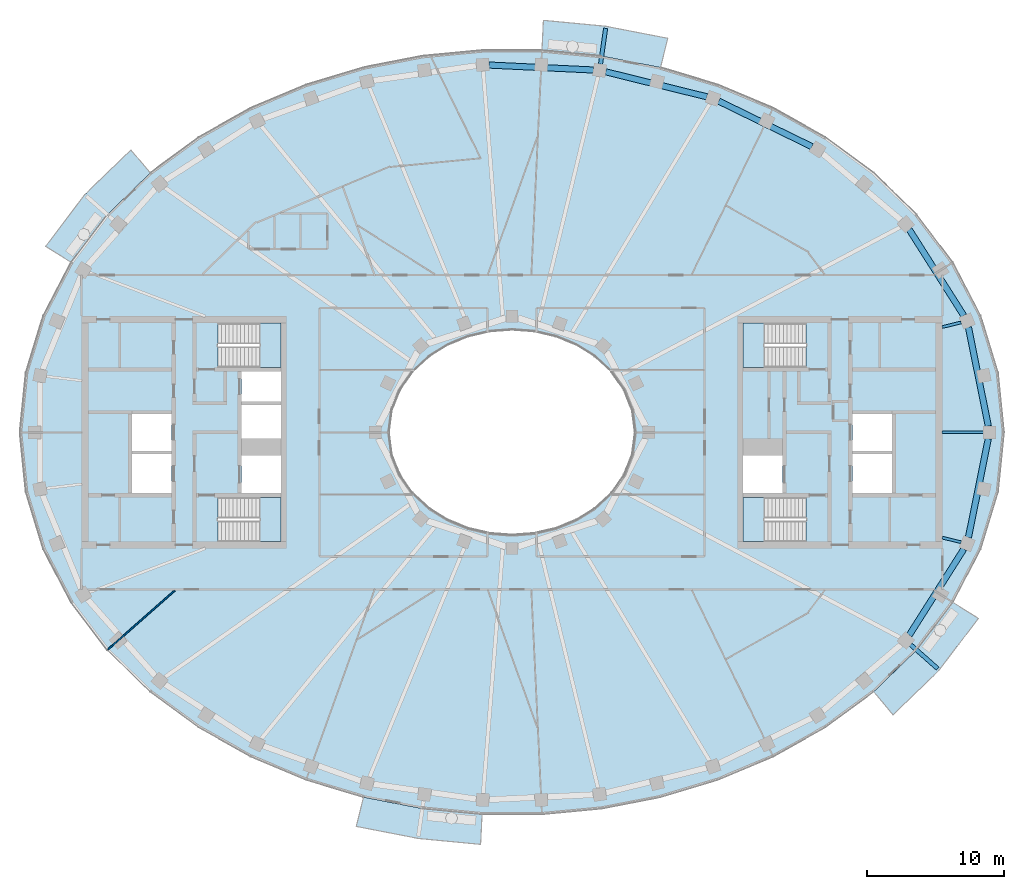
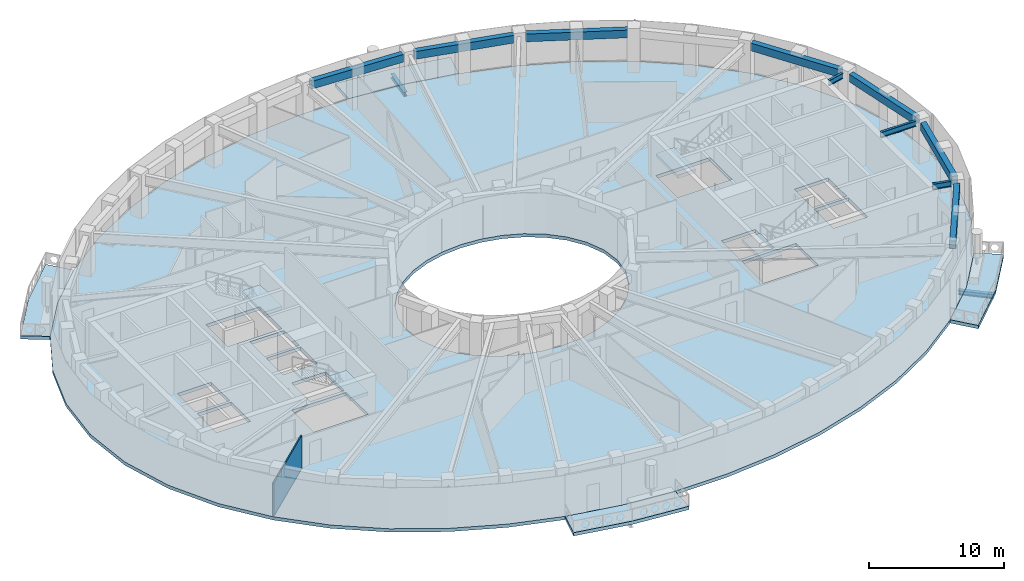
# One storey, part 2 of 16: 12 beams, 9 slabs, 1 wall, 4 elements without a shape of their own.
"""IFC4 building model written with IfcOpenShell, lengths in metres."""

from ifc_helpers import new_model, si_unit, direction, frame, frame_2d, origin, origin_2d, place, context, subcontext, project, spatial, polyline, rectangle, i_section, outline, extrude, material, layer, layer_set, material_profile, profile_set, type_object, element, aggregate, save


model = new_model("IFC4")

# Units and contexts
model_context = context("Model", 3, precision=1e-05, world=origin(), true_north=direction((0.0, 1.0)))
body_context = subcontext(model_context, "Body", "Model", "MODEL_VIEW")
ifc_project = project(units=[si_unit("LENGTHUNIT", "METRE"), si_unit("AREAUNIT", "SQUARE_METRE"), si_unit("VOLUMEUNIT", "CUBIC_METRE"), si_unit("PLANEANGLEUNIT", "RADIAN"), si_unit("MASSUNIT", "GRAM", prefix="KILO")], contexts=[model_context])

# Site, building, storey
site_placement = place(None, origin())
site = spatial("IfcSite", under=ifc_project, at=site_placement, CompositionType="ELEMENT")
building_placement = place(site_placement, origin())
building = spatial("IfcBuilding", under=site, at=building_placement, Name="Noorbagh Ring Tower", CompositionType="ELEMENT")
storey_placement = place(building_placement, frame((0.0, 0.0, 303.0)))
storey = spatial("IfcBuildingStorey", under=building, at=storey_placement, Name="L65", CompositionType="ELEMENT", Elevation=303.0)

# Beams
ifc_material_1 = material(Name="Steel S355", Category="steel")
ifc_material_profile_1 = material_profile(ifc_material_1, i_section(OverallWidth=0.300048828125, OverallDepth=0.39990234375, WebThickness=0.013427734375, FlangeThickness=0.02392578125, FilletRadius=0.027099609375, at=origin_2d()), Name="HEB400")
ifc_profile_set_1 = profile_set([ifc_material_profile_1], Name="Steel S355")
beam_type_1 = type_object("IfcBeamType", Name="STR-BALCONY-BRACKET-HEB400", PredefinedType="BEAM", material=ifc_profile_set_1)
beam_1_placement = place(storey_placement, frame((6.474365234375, 26.941162109375, -0.5), z_axis=(0.143047035154, 0.989715891422, 0.0), x_axis=(-0.989715891422, 0.143047035154, 0.0)))
element("IfcBeam", 1, at=beam_1_placement, inside=storey, type_object=beam_type_1, Name="Balcony bracket beam BN03", PredefinedType="BEAM", context=body_context, shape_type="SweptSolid", body=[
    extrude(i_section(OverallWidth=0.300048828125, OverallDepth=0.39990234375, WebThickness=0.013427734375, FlangeThickness=0.02392578125, FilletRadius=0.027099609375, at=origin_2d()), origin(), (0.0, 0.0, 1.0), 2.64892578125),
])
beam_2_placement = place(storey_placement, frame((29.15966796875, -15.531982421875, -0.5), z_axis=(0.749056248736, -0.662506404671, 0.0), x_axis=(0.662506404671, 0.749056248736, 0.0)))
element("IfcBeam", 2, at=beam_2_placement, inside=storey, type_object=beam_type_1, Name="Balcony bracket beam BS06", PredefinedType="BEAM", context=body_context, shape_type="SweptSolid", body=[
    extrude(i_section(OverallWidth=0.300048828125, OverallDepth=0.39990234375, WebThickness=0.013427734375, FlangeThickness=0.02392578125, FilletRadius=0.027099609375, at=origin_2d()), origin(), (0.0, 0.0, 1.0), 2.654296875),
])
ifc_material_2 = material(Name="Steel S355", Category="steel")
ifc_material_profile_2 = material_profile(ifc_material_2, i_section(OverallWidth=0.199951171875, OverallDepth=0.5, WebThickness=0.01025390625, FlangeThickness=0.01611328125, FilletRadius=0.02099609375, at=origin_2d()), Name="IPE500")
ifc_profile_set_2 = profile_set([ifc_material_profile_2], Name="Steel S355")
beam_type_2 = type_object("IfcBeamType", Name="STR-RAD-IPE500", PredefinedType="BEAM", material=ifc_profile_set_2)
beam_3_placement = place(storey_placement, frame((34.48974609375, 0.0, 3.449951171875), z_axis=(-1.0, 0.0, 0.0), x_axis=(0.0, -1.0, 0.0)))
element("IfcBeam", 3, at=beam_3_placement, inside=storey, type_object=beam_type_2, Name="L65/bm/RD01", PredefinedType="BEAM", context=body_context, shape_type="SweptSolid", body=[
    extrude(i_section(OverallWidth=0.199951171875, OverallDepth=0.5, WebThickness=0.01025390625, FlangeThickness=0.01611328125, FilletRadius=0.02099609375, at=origin_2d()), origin(), (0.0, 0.0, 1.0), 3.009765625),
])
for number, where, z_axis, x_axis, name in (
    (4, (32.858154296875, 8.0400390625, 3.449951171875), (-0.971335445274, -0.237712962949, 0.0), (0.237712962949, -0.971335445274, 0.0), "L65/bm/RD03"),
    (5, (32.858154296875, -8.0400390625, 3.449951171875), (-0.971335445274, 0.237712962949, 0.0), (-0.237712962949, -0.971335445274, 0.0), "L65/bm/RD45"),
):
    element("IfcBeam", number, at=place(storey_placement, frame(where, z_axis=z_axis, x_axis=x_axis)), inside=storey, type_object=beam_type_2, Name=name, PredefinedType="BEAM", context=body_context, shape_type="SweptSolid", body=[
        extrude(i_section(OverallWidth=0.199951171875, OverallDepth=0.5, WebThickness=0.01025390625, FlangeThickness=0.01611328125, FilletRadius=0.02099609375, at=origin_2d()), origin(), (0.0, 0.0, 1.0), 1.41845703125),
    ])
ifc_material_3 = material(Name="Concrete C40/50", Category="concrete")
ifc_material_profile_3 = material_profile(ifc_material_3, rectangle(XDim=0.449951171875, YDim=0.699951171875, at=origin_2d()), Name="RC450x700")
ifc_profile_set_3 = profile_set([ifc_material_profile_3], Name="Concrete C40/50")
beam_type_3 = type_object("IfcBeamType", Name="STR-SB-RC450x700-C40-50", PredefinedType="BEAM", material=ifc_profile_set_3)
beam_4_placement = place(storey_placement, frame((34.85302734375, 0.455322265625, 3.35009765625), z_axis=(-0.197209573264, 0.980361353896, 0.0), x_axis=(-0.980361353896, -0.197209573264, 0.0)))
element("IfcBeam", 6, at=beam_4_placement, inside=storey, type_object=beam_type_3, Name="L65/bm/SP01", PredefinedType="BEAM", context=body_context, shape_type="SweptSolid", body=[
    extrude(rectangle(XDim=0.449951171875, YDim=0.699951171875, at=origin_2d()), origin(), (0.0, 0.0, 1.0), 7.384521484375),
])
beam_5_placement = place(storey_placement, frame((33.0576171875, 8.5400390625, 3.35009765625), z_axis=(-0.535175885378, 0.84474065352, 0.0), x_axis=(-0.84474065352, -0.535175885378, 0.0)))
element("IfcBeam", 7, at=beam_5_placement, inside=storey, type_object=beam_type_3, Name="L65/bm/SP03", PredefinedType="BEAM", context=body_context, shape_type="SweptSolid", body=[
    extrude(rectangle(XDim=0.449951171875, YDim=0.699951171875, at=origin_2d()), origin(), (0.0, 0.0, 1.0), 7.459228515625),
])
beam_6_placement = place(storey_placement, frame((21.9501953125, 20.9013671875, 3.35009765625), z_axis=(-0.898405762579, 0.43916635318, 0.0), x_axis=(-0.43916635318, -0.898405762579, 0.0)))
element("IfcBeam", 8, at=beam_6_placement, inside=storey, type_object=beam_type_3, Name="L65/bm/SP07", PredefinedType="BEAM", context=body_context, shape_type="SweptSolid", body=[
    extrude(rectangle(XDim=0.449951171875, YDim=0.699951171875, at=origin_2d()), origin(), (0.0, 0.0, 1.0), 7.6015625),
])
beam_7_placement = place(storey_placement, frame((14.265380859375, 24.550537109375, 3.35009765625), z_axis=(-0.970830763324, 0.239765779427, 0.0), x_axis=(-0.239765779427, -0.970830763324, 0.0)))
element("IfcBeam", 9, at=beam_7_placement, inside=storey, type_object=beam_type_3, Name="L65/bm/SP09", PredefinedType="BEAM", context=body_context, shape_type="SweptSolid", body=[
    extrude(rectangle(XDim=0.449951171875, YDim=0.699951171875, at=origin_2d()), origin(), (0.0, 0.0, 1.0), 7.634765625),
])
beam_8_placement = place(storey_placement, frame((5.95263671875, 26.5126953125, 3.35009765625), z_axis=(-0.998869653919, 0.047533298648, 0.0), x_axis=(-0.047533298648, -0.998869653919, 0.0)))
element("IfcBeam", 10, at=beam_8_placement, inside=storey, type_object=beam_type_3, Name="L65/bm/SP11", PredefinedType="BEAM", context=body_context, shape_type="SweptSolid", body=[
    extrude(rectangle(XDim=0.449951171875, YDim=0.699951171875, at=origin_2d()), origin(), (0.0, 0.0, 1.0), 7.647705078125),
])
beam_9_placement = place(storey_placement, frame((29.065673828125, -14.841064453125, 3.35009765625), z_axis=(0.535175885378, 0.84474065352, 0.0), x_axis=(-0.84474065352, 0.535175885378, 0.0)))
element("IfcBeam", 11, at=beam_9_placement, inside=storey, type_object=beam_type_3, Name="L65/bm/SP43", PredefinedType="BEAM", context=body_context, shape_type="SweptSolid", body=[
    extrude(rectangle(XDim=0.449951171875, YDim=0.699951171875, at=origin_2d()), origin(), (0.0, 0.0, 1.0), 7.459228515625),
])
beam_10_placement = place(storey_placement, frame((33.396728515625, -7.69482421875, 3.35009765625), z_axis=(0.197209573264, 0.980361353896, 0.0), x_axis=(-0.980361353896, 0.197209573264, 0.0)))
element("IfcBeam", 12, at=beam_10_placement, inside=storey, type_object=beam_type_3, Name="L65/bm/SP45", PredefinedType="BEAM", context=body_context, shape_type="SweptSolid", body=[
    extrude(rectangle(XDim=0.449951171875, YDim=0.699951171875, at=origin_2d()), origin(), (0.0, 0.0, 1.0), 7.384521484375),
])

# Stair, slab
ifc_material_4 = material(Name="Concrete C40/50", Category="concrete")
stair_type = type_object("IfcStairType", Name="CORE-STAIR", PredefinedType="HALF_TURN_STAIR", material=ifc_material_4)
stair_1_placement = place(storey_placement, origin())
stair_1 = element("IfcStair", 13, at=stair_1_placement, inside=storey, type_object=stair_type, Name="L65 Exit stair ST1", PredefinedType="HALF_TURN_STAIR")
ifc_material_5 = material(Name="Concrete C40/50", Category="concrete")
ifc_layer_1 = layer(ifc_material_5, 0.300048828125)
ifc_layer_set_1 = layer_set([ifc_layer_1], Name="Concrete C40/50")
slab_type_1 = type_object("IfcSlabType", Name="CORE-STAIR-LANDING", PredefinedType="LANDING", material=ifc_layer_set_1)
slab_1_placement = place(storey_placement, frame((0.0, 0.0, 1.699951171875)))
slab_1 = element("IfcSlab", 14, at=slab_1_placement, type_object=slab_type_1, Name="ST1 landing 1", PredefinedType="LANDING", context=body_context, shape_type="SweptSolid", body=[
    extrude(outline(polyline([(-18.449951171875, 4.75), (-16.89990234375, 4.75), (-16.89990234375, 8.0), (-18.449951171875, 8.0), (-18.449951171875, 4.75)])), origin(), (0.0, 0.0, 1.0), 0.300048828125),
])
aggregate(stair_1, [slab_1])

stair_2_placement = place(storey_placement, origin())
stair_2 = element("IfcStair", 15, at=stair_2_placement, inside=storey, type_object=stair_type, Name="L65 Exit stair ST2", PredefinedType="HALF_TURN_STAIR")
slab_2_placement = place(storey_placement, frame((0.0, 0.0, 1.699951171875)))
slab_2 = element("IfcSlab", 16, at=slab_2_placement, type_object=slab_type_1, Name="ST2 landing 1", PredefinedType="LANDING", context=body_context, shape_type="SweptSolid", body=[
    extrude(outline(polyline([(-18.449951171875, -8.0), (-16.89990234375, -8.0), (-16.89990234375, -4.75), (-18.449951171875, -4.75), (-18.449951171875, -8.0)])), origin(), (0.0, 0.0, 1.0), 0.300048828125),
])
aggregate(stair_2, [slab_2])

stair_3_placement = place(storey_placement, origin())
stair_3 = element("IfcStair", 17, at=stair_3_placement, inside=storey, type_object=stair_type, Name="L65 Exit stair ST3", PredefinedType="HALF_TURN_STAIR")
slab_3_placement = place(storey_placement, frame((0.0, 0.0, 1.699951171875)))
slab_3 = element("IfcSlab", 18, at=slab_3_placement, type_object=slab_type_1, Name="ST3 landing 1", PredefinedType="LANDING", context=body_context, shape_type="SweptSolid", body=[
    extrude(outline(polyline([(18.449951171875, 8.0), (16.89990234375, 8.0), (16.89990234375, 4.75), (18.449951171875, 4.75), (18.449951171875, 8.0)])), origin(), (0.0, 0.0, 1.0), 0.300048828125),
])
aggregate(stair_3, [slab_3])

stair_4_placement = place(storey_placement, origin())
stair_4 = element("IfcStair", 19, at=stair_4_placement, inside=storey, type_object=stair_type, Name="L65 Exit stair ST4", PredefinedType="HALF_TURN_STAIR")
slab_4_placement = place(storey_placement, frame((0.0, 0.0, 1.699951171875)))
slab_4 = element("IfcSlab", 20, at=slab_4_placement, type_object=slab_type_1, Name="ST4 landing 1", PredefinedType="LANDING", context=body_context, shape_type="SweptSolid", body=[
    extrude(outline(polyline([(18.449951171875, -4.75), (16.89990234375, -4.75), (16.89990234375, -8.0), (18.449951171875, -8.0), (18.449951171875, -4.75)])), origin(), (0.0, 0.0, 1.0), 0.300048828125),
])
aggregate(stair_4, [slab_4])

# Slabs
ifc_material_6 = material(Name="Concrete C40/50", Category="concrete")
ifc_layer_2 = layer(ifc_material_6, 0.300048828125)
ifc_layer_set_2 = layer_set([ifc_layer_2], Name="Concrete C40/50")
slab_type_2 = type_object("IfcSlabType", Name="ENV-BALCONY DECK 300", PredefinedType="FLOOR", material=ifc_layer_set_2)
slab_5_placement = place(storey_placement, frame((0.0, 0.0, -0.300048828125)))
element("IfcSlab", 21, at=slab_5_placement, inside=storey, type_object=slab_type_2, Name="Tree balcony deck BN03", PredefinedType="FLOOR", context=body_context, shape_type="SweptSolid", body=[
    extrude(outline(polyline([(11.3935546875, 28.832763671875), (6.874755859375, 29.711181640625), (2.2978515625, 30.14794921875), (2.193115234375, 27.947998046875), (6.5595703125, 27.53125), (10.865234375, 26.6943359375), (11.3935546875, 28.832763671875)])), origin(), (0.0, 0.0, 1.0), 0.300048828125),
])
slab_6_placement = place(storey_placement, frame((0.0, 0.0, -0.300048828125)))
element("IfcSlab", 22, at=slab_6_placement, inside=storey, type_object=slab_type_2, Name="Tree balcony deck BN06", PredefinedType="FLOOR", context=body_context, shape_type="SweptSolid", body=[
    extrude(outline(polyline([(-27.888671875, 20.665771484375), (-31.26025390625, 17.389892578125), (-34.120361328125, 13.615966796875), (-32.255126953125, 12.434814453125), (-29.607666015625, 15.92822265625), (-26.463134765625, 18.983154296875), (-27.888671875, 20.665771484375)])), origin(), (0.0, 0.0, 1.0), 0.300048828125),
])
slab_7_placement = place(storey_placement, frame((0.0, 0.0, -0.300048828125)))
element("IfcSlab", 23, at=slab_7_placement, inside=storey, type_object=slab_type_2, Name="Tree balcony deck BS03", PredefinedType="FLOOR", context=body_context, shape_type="SweptSolid", body=[
    extrude(outline(polyline([(-11.3935546875, -28.832763671875), (-6.874755859375, -29.711181640625), (-2.2978515625, -30.14794921875), (-2.193115234375, -27.947998046875), (-6.5595703125, -27.53125), (-10.865234375, -26.6943359375), (-11.3935546875, -28.832763671875)])), origin(), (0.0, 0.0, 1.0), 0.300048828125),
])
slab_8_placement = place(storey_placement, frame((0.0, 0.0, -0.300048828125)))
element("IfcSlab", 24, at=slab_8_placement, inside=storey, type_object=slab_type_2, Name="Tree balcony deck BS06", PredefinedType="FLOOR", context=body_context, shape_type="SweptSolid", body=[
    extrude(outline(polyline([(27.888671875, -20.665771484375), (31.26025390625, -17.389892578125), (34.120361328125, -13.615966796875), (32.255126953125, -12.434814453125), (29.607666015625, -15.92822265625), (26.463134765625, -18.983154296875), (27.888671875, -20.665771484375)])), origin(), (0.0, 0.0, 1.0), 0.300048828125),
])
ifc_material_7 = material(Name="Concrete C40/50", Category="concrete")
ifc_layer_3 = layer(ifc_material_7, 0.300048828125)
ifc_layer_set_3 = layer_set([ifc_layer_3], Name="Concrete C40/50")
slab_type_3 = type_object("IfcSlabType", Name="STR-FLOOR-DECK-300", PredefinedType="FLOOR", material=ifc_layer_set_3)
slab_9_placement = place(storey_placement, frame((0.0, 0.0, -0.300048828125)))
element("IfcSlab", 25, at=slab_9_placement, inside=storey, type_object=slab_type_3, Name="L65/slab/1", PredefinedType="FLOOR", context=body_context, shape_type="SweptSolid", body=[
    extrude(outline(polyline([(36.0, 0.0), (35.56103515625, 4.358642578125), (34.281005859375, 8.548828125), (32.255126953125, 12.434814453125), (29.607666015625, 15.92822265625), (26.463134765625, 18.983154296875), (22.9326171875, 21.583740234375), (19.108154296875, 23.730224609375), (15.0654296875, 25.430419921875), (10.865234375, 26.6943359375), (6.5595703125, 27.53125), (2.193115234375, 27.947998046875), (-2.193115234375, 27.947998046875), (-6.5595703125, 27.53125), (-10.865234375, 26.6943359375), (-15.0654296875, 25.430419921875), (-19.108154296875, 23.730224609375), (-22.9326171875, 21.583740234375), (-26.463134765625, 18.983154296875), (-29.607666015625, 15.92822265625), (-32.255126953125, 12.434814453125), (-34.281005859375, 8.548828125), (-35.56103515625, 4.358642578125), (-36.0, 0.0), (-35.56103515625, -4.358642578125), (-34.281005859375, -8.548828125), (-32.255126953125, -12.434814453125), (-29.607666015625, -15.92822265625), (-26.463134765625, -18.983154296875), (-22.9326171875, -21.583740234375), (-19.108154296875, -23.730224609375), (-15.0654296875, -25.430419921875), (-10.865234375, -26.6943359375), (-6.5595703125, -27.53125), (-2.193115234375, -27.947998046875), (2.193115234375, -27.947998046875), (6.5595703125, -27.53125), (10.865234375, -26.6943359375), (15.0654296875, -25.430419921875), (19.108154296875, -23.730224609375), (22.9326171875, -21.583740234375), (26.463134765625, -18.983154296875), (29.607666015625, -15.92822265625), (32.255126953125, -12.434814453125), (34.281005859375, -8.548828125), (35.56103515625, -4.358642578125), (36.0, 0.0)]), holes=[polyline([(24.89990234375, -1.60009765625), (27.800048828125, -1.60009765625), (27.800048828125, -4.449951171875), (24.89990234375, -4.449951171875), (24.89990234375, -1.60009765625)]), polyline([(24.89990234375, 1.35009765625), (27.800048828125, 1.35009765625), (27.800048828125, -1.35009765625), (24.89990234375, -1.35009765625), (24.89990234375, 1.35009765625)]), polyline([(21.529541015625, -8.0), (16.89990234375, -8.0), (16.89990234375, -4.75), (21.529541015625, -4.75), (21.529541015625, -8.0)]), polyline([(21.529541015625, 4.75), (16.89990234375, 4.75), (16.89990234375, 8.0), (21.529541015625, 8.0), (21.529541015625, 4.75)]), polyline([(16.89990234375, -1.699951171875), (19.800048828125, -1.699951171875), (19.800048828125, -4.449951171875), (16.89990234375, -4.449951171875), (16.89990234375, -1.699951171875)]), polyline([(4.697509765625, -6.3974609375), (3.196533203125, -7.010986328125), (1.6171875, -7.3779296875), (0.0, -7.5), (-1.6171875, -7.3779296875), (-3.196533203125, -7.010986328125), (-4.697509765625, -6.3974609375), (-6.071044921875, -5.53662109375), (-7.2587890625, -4.43408203125), (-8.1904296875, -3.10888671875), (-8.79150390625, -1.605224609375), (-9.0, 0.0), (-8.79150390625, 1.605224609375), (-8.1904296875, 3.10888671875), (-7.2587890625, 4.43408203125), (-6.071044921875, 5.53662109375), (-4.697509765625, 6.3974609375), (-3.196533203125, 7.010986328125), (-1.6171875, 7.3779296875), (0.0, 7.5), (1.6171875, 7.3779296875), (3.196533203125, 7.010986328125), (4.697509765625, 6.3974609375), (6.071044921875, 5.53662109375), (7.2587890625, 4.43408203125), (8.1904296875, 3.10888671875), (8.79150390625, 1.605224609375), (9.0, 0.0), (8.79150390625, -1.605224609375), (8.1904296875, -3.10888671875), (7.2587890625, -4.43408203125), (6.071044921875, -5.53662109375), (4.697509765625, -6.3974609375)]), polyline([(-21.529541015625, -8.0), (-21.529541015625, -4.75), (-16.89990234375, -4.75), (-16.89990234375, -8.0), (-21.529541015625, -8.0)]), polyline([(-21.529541015625, 4.75), (-21.529541015625, 8.0), (-16.89990234375, 8.0), (-16.89990234375, 4.75), (-21.529541015625, 4.75)]), polyline([(-16.89990234375, -4.449951171875), (-19.800048828125, -4.449951171875), (-19.800048828125, -1.699951171875), (-16.89990234375, -1.699951171875), (-16.89990234375, -4.449951171875)]), polyline([(-16.89990234375, -0.449951171875), (-19.800048828125, -0.449951171875), (-19.800048828125, 2.0), (-16.89990234375, 2.0), (-16.89990234375, -0.449951171875)]), polyline([(-16.89990234375, 2.25), (-19.800048828125, 2.25), (-19.800048828125, 4.449951171875), (-16.89990234375, 4.449951171875), (-16.89990234375, 2.25)]), polyline([(-24.89990234375, -4.449951171875), (-27.800048828125, -4.449951171875), (-27.800048828125, -1.60009765625), (-24.89990234375, -1.60009765625), (-24.89990234375, -4.449951171875)]), polyline([(-24.89990234375, 1.35009765625), (-24.89990234375, -1.35009765625), (-27.800048828125, -1.35009765625), (-27.800048828125, 1.35009765625), (-24.89990234375, 1.35009765625)])]), origin(), (0.0, 0.0, 1.0), 0.300048828125),
])

# Wall
ifc_material_8 = material(Name="Gypsum board on steel studs", Category="steel")
ifc_layer_4 = layer(ifc_material_8, 0.10009765625)
ifc_layer_set_4 = layer_set([ifc_layer_4], Name="Gypsum board on steel studs")
wall_type = type_object("IfcWallType", Name="PARTITION 100 GYPSUM", PredefinedType="PARTITIONING", material=ifc_layer_set_4)
wall_placement = place(storey_placement, frame((-29.569091796875, -15.89501953125, 0.0), z_axis=(0.0, 0.0, 1.0), x_axis=(0.748988695283, 0.662582775461, 0.0)))
element("IfcWall", 26, at=wall_placement, inside=storey, type_object=wall_type, Name="L65/wall/P06", PredefinedType="PARTITIONING", context=body_context, shape_type="SweptSolid", body=[
    extrude(rectangle(XDim=6.515625, YDim=0.10009765625, at=frame_2d((3.2578125, 0.0))), origin(), (0.0, 0.0, 1.0), 3.0),
])

save(model, "model.ifc")
